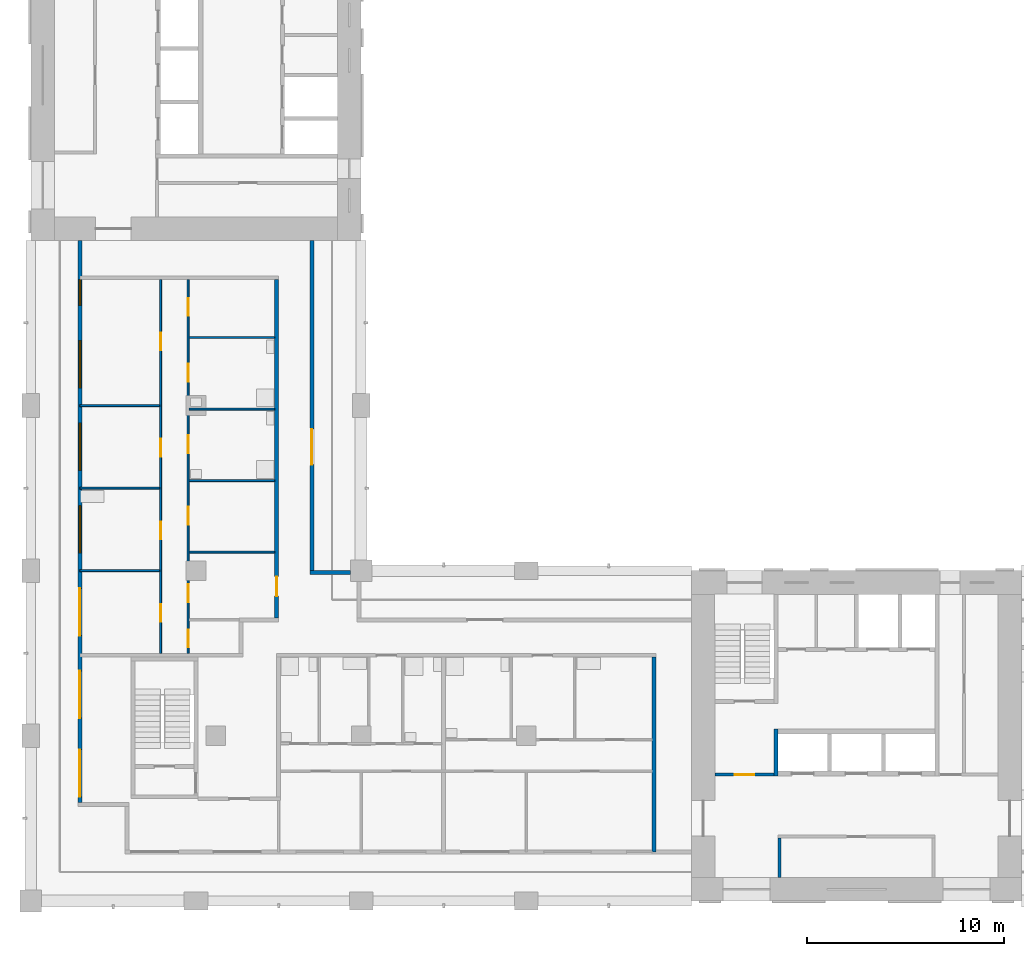
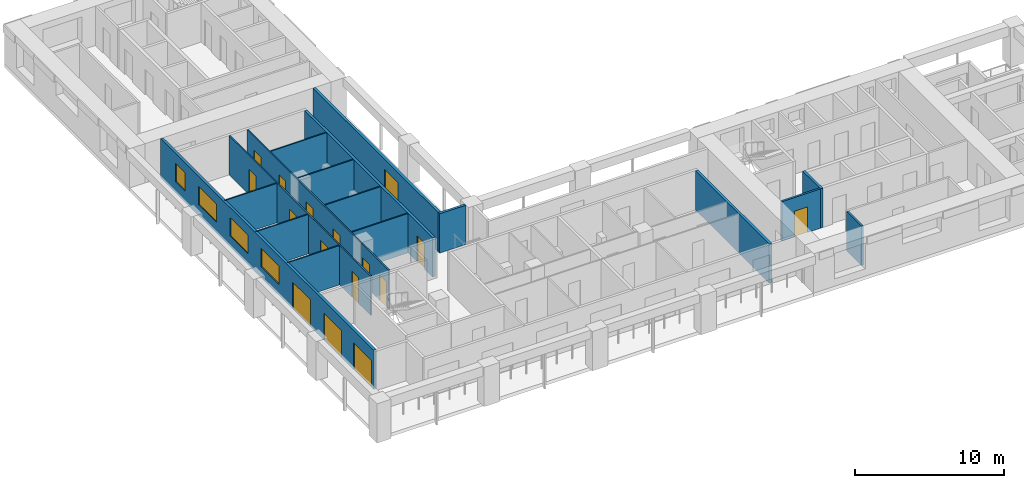
# One storey, part 3 of 10: 17 walls, 16 doors, 4 windows, 20 openings.
"""IFC4 building model written with IfcOpenShell, lengths in metres."""

from ifc_helpers import new_model, si_unit, direction, frame, frame_2d, origin, place, context, subcontext, project, spatial, rectangle, extrude, material, layer, layer_set, type_object, element, fill, save


model = new_model("IFC4")

# Units and contexts
model_context = context("Model", 3, precision=1e-05, world=origin(), true_north=direction((0.0, 1.0)))
body_context = subcontext(model_context, "Body", "Model", "MODEL_VIEW")
ifc_project = project(units=[si_unit("LENGTHUNIT", "METRE"), si_unit("AREAUNIT", "SQUARE_METRE"), si_unit("VOLUMEUNIT", "CUBIC_METRE"), si_unit("PLANEANGLEUNIT", "RADIAN"), si_unit("MASSUNIT", "GRAM", prefix="KILO")], contexts=[model_context])

# Site, building, storey
site_placement = place(None, origin())
site = spatial("IfcSite", under=ifc_project, at=site_placement, CompositionType="ELEMENT")
building_placement = place(site_placement, origin())
building = spatial("IfcBuilding", under=site, at=building_placement, Name="Vermilion Gate Residences", CompositionType="ELEMENT")
storey_placement = place(building_placement, frame((0.0, 0.0, 172.199951171875)))
storey = spatial("IfcBuildingStorey", under=building, at=storey_placement, Name="L44", CompositionType="ELEMENT", Elevation=172.199951171875)

# Wall
ifc_material_1 = material(Name="Masonry blockwork", Category="masonry")
ifc_layer_1 = layer(ifc_material_1, 0.14990234375)
ifc_layer_set_1 = layer_set([ifc_layer_1], Name="BLOCKWORK PARTITION 150 EI 120")
wall_type_1 = type_object("IfcWallType", Name="BLOCKWORK PARTITION 150 EI 120", PredefinedType="PARTITIONING", material=ifc_layer_set_1)
wall_1_placement = place(storey_placement, frame((46.47509765625, 9.60009765625, 0.0), z_axis=(0.0, 0.0, 1.0), x_axis=(0.0, 1.0, 0.0)))
element("IfcWall", 1, at=wall_1_placement, inside=storey, type_object=wall_type_1, Name="Core room partition A44-RW-W", PredefinedType="PARTITIONING", context=body_context, shape_type="SweptSolid", body=[
    extrude(rectangle(XDim=2.0, YDim=0.14990234375, at=frame_2d((1.0, 0.0))), origin(), (0.0, 0.0, 1.0), 3.219970703125),
])

# Wall, opening, door
wall_2_placement = place(storey_placement, frame((43.199951171875, 14.824951171875, 0.0), z_axis=(0.0, 0.0, 1.0), x_axis=(1.0, 0.0, 0.0)))
wall_2 = element("IfcWall", 2, at=wall_2_placement, inside=storey, type_object=wall_type_1, Name="Core room partition A44-VW-S", PredefinedType="PARTITIONING", context=body_context, shape_type="SweptSolid", body=[
    extrude(rectangle(XDim=3.0, YDim=0.14990234375, at=frame_2d((1.5, 0.0))), origin(), (0.0, 0.0, 1.0), 3.219970703125),
])
opening_1_placement = place(wall_2_placement, frame((1.0, 0.0, 0.0)))
opening_1 = element("IfcOpeningElement", 3, at=opening_1_placement, cuts=wall_2, Name="Opening DK44011", PredefinedType="OPENING", context=body_context, shape_type="SweptSolid", body=[
    extrude(rectangle(XDim=1.0, YDim=2.10009765625, at=frame_2d((0.5, 1.050048828125))), frame((0.0, 0.0849609375, 0.0), z_axis=(0.0, -1.0, 0.0), x_axis=(1.0, 0.0, 0.0)), (0.0, 0.0, 1.0), 0.169921875),
])
ifc_material_2 = material(Name="Steel", Category="steel")
door_type_1 = type_object("IfcDoorType", Name="FIRE DOOR FD60 1000 X 2100", OperationType="SINGLE_SWING_LEFT", PredefinedType="DOOR", material=ifc_material_2)
door_1_placement = place(opening_1_placement, frame((1.0, 0.0, 0.0), z_axis=(0.0, 0.0, 1.0), x_axis=(-1.0, 0.0, 0.0)))
door_1 = element("IfcDoor", 4, at=door_1_placement, inside=storey, type_object=door_type_1, Name="Stair vestibule door A44", OperationType="SINGLE_SWING_RIGHT", OverallHeight=2.10009765625, OverallWidth=1.0, PredefinedType="DOOR", context=body_context, shape_type="SweptSolid", body=[
    extrude(rectangle(XDim=1.0, YDim=2.10009765625, at=frame_2d((0.5, 1.050048828125))), frame((0.0, 0.02490234375, 0.0), z_axis=(0.0, -1.0, 0.0), x_axis=(1.0, 0.0, 0.0)), (0.0, 0.0, 1.0), 0.050048828125),
])
fill(opening_1, door_1)

# Wall, openings, doors, windows
ifc_material_3 = material(Name="Insulated steel stud wall with terracotta rainscreen", Category="masonry")
ifc_layer_2 = layer(ifc_material_3, 0.199951171875)
ifc_layer_set_2 = layer_set([ifc_layer_2], Name="EXTERNAL WALL 200 TERRACOTTA RAINSCREEN")
wall_type_2 = type_object("IfcWallType", Name="EXTERNAL WALL 200 TERRACOTTA RAINSCREEN", PredefinedType="SOLIDWALL", material=ifc_layer_set_2)
wall_3_placement = place(storey_placement, frame((10.89990234375, 42.0, 0.0), z_axis=(0.0, 0.0, 1.0), x_axis=(0.0, -1.0, 0.0)))
wall_3 = element("IfcWall", 5, at=wall_3_placement, inside=storey, type_object=wall_type_2, Name="External wall", PredefinedType="SOLIDWALL", context=body_context, shape_type="SweptSolid", body=[
    extrude(rectangle(XDim=28.60009765625, YDim=0.199951171875, at=frame_2d((14.300048828125, 0.0))), origin(), (0.0, 0.0, 1.0), 3.219970703125),
])
opening_2_placement = place(wall_3_placement, frame((25.89990234375, 0.0, 0.0)))
opening_2 = element("IfcOpeningElement", 6, at=opening_2_placement, cuts=wall_3, Name="Opening DE44001", PredefinedType="OPENING", context=body_context, shape_type="SweptSolid", body=[
    extrude(rectangle(XDim=2.39990234375, YDim=2.199951171875, at=frame_2d((1.199951171875, 1.10009765625))), frame((0.0, 0.10986328125, 0.0), z_axis=(0.0, -1.0, 0.0), x_axis=(1.0, 0.0, 0.0)), (0.0, 0.0, 1.0), 0.219970703125),
])
opening_3_placement = place(wall_3_placement, frame((21.89990234375, 0.0, 0.0)))
opening_3 = element("IfcOpeningElement", 7, at=opening_3_placement, cuts=wall_3, Name="Opening DE44002", PredefinedType="OPENING", context=body_context, shape_type="SweptSolid", body=[
    extrude(rectangle(XDim=2.39990234375, YDim=2.199951171875, at=frame_2d((1.199951171875, 1.10009765625))), frame((0.0, 0.10986328125, 0.0), z_axis=(0.0, -1.0, 0.0), x_axis=(1.0, 0.0, 0.0)), (0.0, 0.0, 1.0), 0.219970703125),
])
opening_4_placement = place(wall_3_placement, frame((17.699951171875, 0.0, 0.0)))
opening_4 = element("IfcOpeningElement", 8, at=opening_4_placement, cuts=wall_3, Name="Opening DE44003", PredefinedType="OPENING", context=body_context, shape_type="SweptSolid", body=[
    extrude(rectangle(XDim=2.39990234375, YDim=2.199951171875, at=frame_2d((1.199951171875, 1.10009765625))), frame((0.0, 0.10986328125, 0.0), z_axis=(0.0, -1.0, 0.0), x_axis=(1.0, 0.0, 0.0)), (0.0, 0.0, 1.0), 0.219970703125),
])
opening_5_placement = place(wall_3_placement, frame((13.5, 0.0, 0.89990234375)))
opening_5 = element("IfcOpeningElement", 9, at=opening_5_placement, cuts=wall_3, Name="Opening WE44004", PredefinedType="OPENING", context=body_context, shape_type="SweptSolid", body=[
    extrude(rectangle(XDim=2.39990234375, YDim=1.5, at=frame_2d((1.199951171875, 0.75))), frame((0.0, 0.10986328125, 0.0), z_axis=(0.0, -1.0, 0.0), x_axis=(1.0, 0.0, 0.0)), (0.0, 0.0, 1.0), 0.219970703125),
])
opening_6_placement = place(wall_3_placement, frame((9.300048828125, 0.0, 0.89990234375)))
opening_6 = element("IfcOpeningElement", 10, at=opening_6_placement, cuts=wall_3, Name="Opening WE44005", PredefinedType="OPENING", context=body_context, shape_type="SweptSolid", body=[
    extrude(rectangle(XDim=2.39990234375, YDim=1.5, at=frame_2d((1.199951171875, 0.75))), frame((0.0, 0.10986328125, 0.0), z_axis=(0.0, -1.0, 0.0), x_axis=(1.0, 0.0, 0.0)), (0.0, 0.0, 1.0), 0.219970703125),
])
opening_7_placement = place(wall_3_placement, frame((5.10009765625, 0.0, 0.89990234375)))
opening_7 = element("IfcOpeningElement", 11, at=opening_7_placement, cuts=wall_3, Name="Opening WE44006", PredefinedType="OPENING", context=body_context, shape_type="SweptSolid", body=[
    extrude(rectangle(XDim=2.39990234375, YDim=1.5, at=frame_2d((1.199951171875, 0.75))), frame((0.0, 0.10986328125, 0.0), z_axis=(0.0, -1.0, 0.0), x_axis=(1.0, 0.0, 0.0)), (0.0, 0.0, 1.0), 0.219970703125),
])
opening_8_placement = place(wall_3_placement, frame((2.0, 0.0, 0.89990234375)))
opening_8 = element("IfcOpeningElement", 12, at=opening_8_placement, cuts=wall_3, Name="Opening WE44007", PredefinedType="OPENING", context=body_context, shape_type="SweptSolid", body=[
    extrude(rectangle(XDim=1.300048828125, YDim=1.5, at=frame_2d((0.64990234375, 0.75))), frame((0.0, 0.10986328125, 0.0), z_axis=(0.0, -1.0, 0.0), x_axis=(1.0, 0.0, 0.0)), (0.0, 0.0, 1.0), 0.219970703125),
])
ifc_material_4 = material(Name="Aluminium and clear glass", Category="aluminium")
door_type_2 = type_object("IfcDoorType", Name="SLIDING GLAZED DOOR 2400 X 2200", OperationType="DOUBLE_DOOR_SLIDING", PredefinedType="DOOR", material=ifc_material_4)
door_2_placement = place(opening_2_placement, origin())
door_2 = element("IfcDoor", 13, at=door_2_placement, inside=storey, type_object=door_type_2, Name="Loggia sliding door", OperationType="DOUBLE_DOOR_SLIDING", OverallHeight=2.199951171875, OverallWidth=2.39990234375, PredefinedType="DOOR", context=body_context, shape_type="SweptSolid", body=[
    extrude(rectangle(XDim=2.39990234375, YDim=2.199951171875, at=frame_2d((1.199951171875, 1.10009765625))), frame((0.0, 0.02490234375, 0.0), z_axis=(0.0, -1.0, 0.0), x_axis=(1.0, 0.0, 0.0)), (0.0, 0.0, 1.0), 0.050048828125),
])
fill(opening_2, door_2)
door_3_placement = place(opening_3_placement, origin())
door_3 = element("IfcDoor", 14, at=door_3_placement, inside=storey, type_object=door_type_2, Name="Loggia sliding door", OperationType="DOUBLE_DOOR_SLIDING", OverallHeight=2.199951171875, OverallWidth=2.39990234375, PredefinedType="DOOR", context=body_context, shape_type="SweptSolid", body=[
    extrude(rectangle(XDim=2.39990234375, YDim=2.199951171875, at=frame_2d((1.199951171875, 1.10009765625))), frame((0.0, 0.02490234375, 0.0), z_axis=(0.0, -1.0, 0.0), x_axis=(1.0, 0.0, 0.0)), (0.0, 0.0, 1.0), 0.050048828125),
])
fill(opening_3, door_3)
door_4_placement = place(opening_4_placement, origin())
door_4 = element("IfcDoor", 15, at=door_4_placement, inside=storey, type_object=door_type_2, Name="Loggia sliding door", OperationType="DOUBLE_DOOR_SLIDING", OverallHeight=2.199951171875, OverallWidth=2.39990234375, PredefinedType="DOOR", context=body_context, shape_type="SweptSolid", body=[
    extrude(rectangle(XDim=2.39990234375, YDim=2.199951171875, at=frame_2d((1.199951171875, 1.10009765625))), frame((0.0, 0.02490234375, 0.0), z_axis=(0.0, -1.0, 0.0), x_axis=(1.0, 0.0, 0.0)), (0.0, 0.0, 1.0), 0.050048828125),
])
fill(opening_4, door_4)
ifc_material_5 = material(Name="Aluminium and clear glass", Category="aluminium")
window_type_1 = type_object("IfcWindowType", Name="WINDOW 1300 X 1500", PartitioningType="SINGLE_PANEL", PredefinedType="WINDOW", material=ifc_material_5)
window_1_placement = place(opening_8_placement, origin())
window_1 = element("IfcWindow", 16, at=window_1_placement, inside=storey, type_object=window_type_1, Name="Window", OverallHeight=1.5, OverallWidth=1.300048828125, PartitioningType="SINGLE_PANEL", PredefinedType="WINDOW", context=body_context, shape_type="SweptSolid", body=[
    extrude(rectangle(XDim=1.300048828125, YDim=1.5, at=frame_2d((0.64990234375, 0.75))), frame((0.0, 0.030029296875, 0.0), z_axis=(0.0, -1.0, 0.0), x_axis=(1.0, 0.0, 0.0)), (0.0, 0.0, 1.0), 0.06005859375),
])
fill(opening_8, window_1)
ifc_material_6 = material(Name="Aluminium and clear glass", Category="aluminium")
window_type_2 = type_object("IfcWindowType", Name="WINDOW 2400 X 1500", PartitioningType="SINGLE_PANEL", PredefinedType="WINDOW", material=ifc_material_6)
window_2_placement = place(opening_5_placement, origin())
window_2 = element("IfcWindow", 17, at=window_2_placement, inside=storey, type_object=window_type_2, Name="Window", OverallHeight=1.5, OverallWidth=2.39990234375, PartitioningType="SINGLE_PANEL", PredefinedType="WINDOW", context=body_context, shape_type="SweptSolid", body=[
    extrude(rectangle(XDim=2.39990234375, YDim=1.5, at=frame_2d((1.199951171875, 0.75))), frame((0.0, 0.030029296875, 0.0), z_axis=(0.0, -1.0, 0.0), x_axis=(1.0, 0.0, 0.0)), (0.0, 0.0, 1.0), 0.06005859375),
])
fill(opening_5, window_2)
window_3_placement = place(opening_6_placement, origin())
window_3 = element("IfcWindow", 18, at=window_3_placement, inside=storey, type_object=window_type_2, Name="Window", OverallHeight=1.5, OverallWidth=2.39990234375, PartitioningType="SINGLE_PANEL", PredefinedType="WINDOW", context=body_context, shape_type="SweptSolid", body=[
    extrude(rectangle(XDim=2.39990234375, YDim=1.5, at=frame_2d((1.199951171875, 0.75))), frame((0.0, 0.030029296875, 0.0), z_axis=(0.0, -1.0, 0.0), x_axis=(1.0, 0.0, 0.0)), (0.0, 0.0, 1.0), 0.06005859375),
])
fill(opening_6, window_3)
window_4_placement = place(opening_7_placement, origin())
window_4 = element("IfcWindow", 19, at=window_4_placement, inside=storey, type_object=window_type_2, Name="Window", OverallHeight=1.5, OverallWidth=2.39990234375, PartitioningType="SINGLE_PANEL", PredefinedType="WINDOW", context=body_context, shape_type="SweptSolid", body=[
    extrude(rectangle(XDim=2.39990234375, YDim=1.5, at=frame_2d((1.199951171875, 0.75))), frame((0.0, 0.030029296875, 0.0), z_axis=(0.0, -1.0, 0.0), x_axis=(1.0, 0.0, 0.0)), (0.0, 0.0, 1.0), 0.06005859375),
])
fill(opening_7, window_4)

# Wall
wall_4_placement = place(storey_placement, frame((24.64990234375, 25.10009765625, 0.0), z_axis=(0.0, 0.0, 1.0), x_axis=(-1.0, 0.0, 0.0)))
element("IfcWall", 20, at=wall_4_placement, inside=storey, type_object=wall_type_2, Name="External wall", PredefinedType="SOLIDWALL", context=body_context, shape_type="SweptSolid", body=[
    extrude(rectangle(XDim=2.0498046875, YDim=0.199951171875, at=frame_2d((1.02490234375, 0.0))), origin(), (0.0, 0.0, 1.0), 3.219970703125),
])

# Wall, opening, door
wall_5_placement = place(storey_placement, frame((22.699951171875, 25.199951171875, 0.0), z_axis=(0.0, 0.0, 1.0), x_axis=(0.0, 1.0, 0.0)))
wall_5 = element("IfcWall", 21, at=wall_5_placement, inside=storey, type_object=wall_type_2, Name="External wall", PredefinedType="SOLIDWALL", context=body_context, shape_type="SweptSolid", body=[
    extrude(rectangle(XDim=16.800048828125, YDim=0.199951171875, at=frame_2d((8.39990234375, 0.0))), origin(), (0.0, 0.0, 1.0), 3.219970703125),
])
opening_9_placement = place(wall_5_placement, frame((5.39990234375, 0.0, 0.0)))
opening_9 = element("IfcOpeningElement", 22, at=opening_9_placement, cuts=wall_5, Name="Opening DE44021", PredefinedType="OPENING", context=body_context, shape_type="SweptSolid", body=[
    extrude(rectangle(XDim=1.800048828125, YDim=2.39990234375, at=frame_2d((0.89990234375, 1.199951171875))), frame((0.0, 0.10986328125, 0.0), z_axis=(0.0, -1.0, 0.0), x_axis=(1.0, 0.0, 0.0)), (0.0, 0.0, 1.0), 0.219970703125),
])
ifc_material_7 = material(Name="Aluminium and clear glass", Category="aluminium")
door_type_3 = type_object("IfcDoorType", Name="GLAZED EXTERNAL DOOR 1800 X 2400", OperationType="DOUBLE_DOOR_SINGLE_SWING", PredefinedType="DOOR", material=ifc_material_7)
door_5_placement = place(opening_9_placement, frame((1.800048828125, 0.0, 0.0), z_axis=(0.0, 0.0, 1.0), x_axis=(-1.0, 0.0, 0.0)))
door_5 = element("IfcDoor", 23, at=door_5_placement, inside=storey, type_object=door_type_3, Name="Gallery door", OperationType="DOUBLE_DOOR_SINGLE_SWING", OverallHeight=2.39990234375, OverallWidth=1.800048828125, PredefinedType="DOOR", context=body_context, shape_type="SweptSolid", body=[
    extrude(rectangle(XDim=1.800048828125, YDim=2.39990234375, at=frame_2d((0.89990234375, 1.199951171875))), frame((0.0, 0.02490234375, 0.0), z_axis=(0.0, -1.0, 0.0), x_axis=(1.0, 0.0, 0.0)), (0.0, 0.0, 1.0), 0.050048828125),
])
fill(opening_9, door_5)

# Walls
ifc_material_8 = material(Name="Plasterboard on steel studs", Category="steel")
ifc_layer_3 = layer(ifc_material_8, 0.10009765625)
ifc_layer_set_3 = layer_set([ifc_layer_3], Name="PARTITION 100")
wall_type_3 = type_object("IfcWallType", Name="PARTITION 100", PredefinedType="PARTITIONING", material=ifc_layer_set_3)
wall_6_placement = place(storey_placement, frame((10.89990234375, 25.199951171875, 0.0), z_axis=(0.0, 0.0, 1.0), x_axis=(1.0, 0.0, 0.0)))
element("IfcWall", 24, at=wall_6_placement, inside=storey, type_object=wall_type_3, Name="Partition", PredefinedType="PARTITIONING", context=body_context, shape_type="SweptSolid", body=[
    extrude(rectangle(XDim=4.050048828125, YDim=0.10009765625, at=frame_2d((2.02490234375, 0.0))), origin(), (0.0, 0.0, 1.0), 3.219970703125),
])
wall_7_placement = place(storey_placement, frame((16.449951171875, 26.139892578125, 0.0), z_axis=(0.0, 0.0, 1.0), x_axis=(1.0, 0.0, 0.0)))
element("IfcWall", 25, at=wall_7_placement, inside=storey, type_object=wall_type_3, Name="Partition", PredefinedType="PARTITIONING", context=body_context, shape_type="SweptSolid", body=[
    extrude(rectangle(XDim=4.35009765625, YDim=0.10009765625, at=frame_2d((2.175048828125, 0.0))), origin(), (0.0, 0.0, 1.0), 3.219970703125),
])
wall_8_placement = place(storey_placement, frame((10.89990234375, 29.39990234375, 0.0), z_axis=(0.0, 0.0, 1.0), x_axis=(1.0, 0.0, 0.0)))
element("IfcWall", 26, at=wall_8_placement, inside=storey, type_object=wall_type_3, Name="Partition", PredefinedType="PARTITIONING", context=body_context, shape_type="SweptSolid", body=[
    extrude(rectangle(XDim=4.050048828125, YDim=0.10009765625, at=frame_2d((2.02490234375, 0.0))), origin(), (0.0, 0.0, 1.0), 3.219970703125),
])
for number, where, z_axis, x_axis, name in (
    (27, (16.449951171875, 29.780029296875, 0.0), (0.0, 0.0, 1.0), (1.0, 0.0, 0.0), "Partition"),
    (28, (16.449951171875, 33.419921875, 0.0), (0.0, 0.0, 1.0), (1.0, 0.0, 0.0), "Partition"),
):
    element("IfcWall", number, at=place(storey_placement, frame(where, z_axis=z_axis, x_axis=x_axis)), inside=storey, type_object=wall_type_3, Name=name, PredefinedType="PARTITIONING", context=body_context, shape_type="SweptSolid", body=[
        extrude(rectangle(XDim=4.35009765625, YDim=0.10009765625, at=frame_2d((2.175048828125, 0.0))), origin(), (0.0, 0.0, 1.0), 3.219970703125),
    ])
wall_9_placement = place(storey_placement, frame((10.89990234375, 33.60009765625, 0.0), z_axis=(0.0, 0.0, 1.0), x_axis=(1.0, 0.0, 0.0)))
element("IfcWall", 29, at=wall_9_placement, inside=storey, type_object=wall_type_3, Name="Partition", PredefinedType="PARTITIONING", context=body_context, shape_type="SweptSolid", body=[
    extrude(rectangle(XDim=4.050048828125, YDim=0.10009765625, at=frame_2d((2.02490234375, 0.0))), origin(), (0.0, 0.0, 1.0), 3.219970703125),
])
wall_10_placement = place(storey_placement, frame((16.449951171875, 37.06005859375, 0.0), z_axis=(0.0, 0.0, 1.0), x_axis=(1.0, 0.0, 0.0)))
element("IfcWall", 30, at=wall_10_placement, inside=storey, type_object=wall_type_3, Name="Partition", PredefinedType="PARTITIONING", context=body_context, shape_type="SweptSolid", body=[
    extrude(rectangle(XDim=4.35009765625, YDim=0.10009765625, at=frame_2d((2.175048828125, 0.0))), origin(), (0.0, 0.0, 1.0), 3.219970703125),
])

# Wall, openings, doors
wall_11_placement = place(storey_placement, frame((15.0, 21.0, 0.0), z_axis=(0.0, 0.0, 1.0), x_axis=(0.0, 1.0, 0.0)))
wall_11 = element("IfcWall", 31, at=wall_11_placement, inside=storey, type_object=wall_type_3, Name="Partition", PredefinedType="PARTITIONING", context=body_context, shape_type="SweptSolid", body=[
    extrude(rectangle(XDim=19.0, YDim=0.10009765625, at=frame_2d((9.5, 0.0))), origin(), (0.0, 0.0, 1.0), 3.219970703125),
])
opening_10_placement = place(wall_11_placement, frame((1.60009765625, 0.0, 0.0)))
opening_10 = element("IfcOpeningElement", 32, at=opening_10_placement, cuts=wall_11, Name="Opening DA43015", PredefinedType="OPENING", context=body_context, shape_type="SweptSolid", body=[
    extrude(rectangle(XDim=0.89990234375, YDim=2.10009765625, at=frame_2d((0.449951171875, 1.050048828125))), frame((0.0, 0.06005859375, 0.0), z_axis=(0.0, -1.0, 0.0), x_axis=(1.0, 0.0, 0.0)), (0.0, 0.0, 1.0), 0.1201171875),
])
opening_11_placement = place(wall_11_placement, frame((5.800048828125, 0.0, 0.0)))
opening_11 = element("IfcOpeningElement", 33, at=opening_11_placement, cuts=wall_11, Name="Opening DA43016", PredefinedType="OPENING", context=body_context, shape_type="SweptSolid", body=[
    extrude(rectangle(XDim=0.89990234375, YDim=2.10009765625, at=frame_2d((0.449951171875, 1.050048828125))), frame((0.0, 0.06005859375, 0.0), z_axis=(0.0, -1.0, 0.0), x_axis=(1.0, 0.0, 0.0)), (0.0, 0.0, 1.0), 0.1201171875),
])
opening_12_placement = place(wall_11_placement, frame((10.0, 0.0, 0.0)))
opening_12 = element("IfcOpeningElement", 34, at=opening_12_placement, cuts=wall_11, Name="Opening DA43017", PredefinedType="OPENING", context=body_context, shape_type="SweptSolid", body=[
    extrude(rectangle(XDim=0.89990234375, YDim=2.10009765625, at=frame_2d((0.449951171875, 1.050048828125))), frame((0.0, 0.06005859375, 0.0), z_axis=(0.0, -1.0, 0.0), x_axis=(1.0, 0.0, 0.0)), (0.0, 0.0, 1.0), 0.1201171875),
])
opening_13_placement = place(wall_11_placement, frame((15.39990234375, 0.0, 0.0)))
opening_13 = element("IfcOpeningElement", 35, at=opening_13_placement, cuts=wall_11, Name="Opening DA43018", PredefinedType="OPENING", context=body_context, shape_type="SweptSolid", body=[
    extrude(rectangle(XDim=0.89990234375, YDim=2.10009765625, at=frame_2d((0.449951171875, 1.050048828125))), frame((0.0, 0.06005859375, 0.0), z_axis=(0.0, -1.0, 0.0), x_axis=(1.0, 0.0, 0.0)), (0.0, 0.0, 1.0), 0.1201171875),
])
ifc_material_9 = material(Name="Timber", Category="wood")
door_type_4 = type_object("IfcDoorType", Name="INTERIOR DOOR 900 X 2100", OperationType="SINGLE_SWING_LEFT", PredefinedType="DOOR", material=ifc_material_9)
door_6_placement = place(opening_10_placement, origin())
door_6 = element("IfcDoor", 36, at=door_6_placement, inside=storey, type_object=door_type_4, Name="Interior door", OperationType="SINGLE_SWING_LEFT", OverallHeight=2.10009765625, OverallWidth=0.89990234375, PredefinedType="DOOR", context=body_context, shape_type="SweptSolid", body=[
    extrude(rectangle(XDim=0.89990234375, YDim=2.10009765625, at=frame_2d((0.449951171875, 1.050048828125))), frame((0.0, 0.02490234375, 0.0), z_axis=(0.0, -1.0, 0.0), x_axis=(1.0, 0.0, 0.0)), (0.0, 0.0, 1.0), 0.050048828125),
])
fill(opening_10, door_6)
door_7_placement = place(opening_11_placement, origin())
door_7 = element("IfcDoor", 37, at=door_7_placement, inside=storey, type_object=door_type_4, Name="Interior door", OperationType="SINGLE_SWING_LEFT", OverallHeight=2.10009765625, OverallWidth=0.89990234375, PredefinedType="DOOR", context=body_context, shape_type="SweptSolid", body=[
    extrude(rectangle(XDim=0.89990234375, YDim=2.10009765625, at=frame_2d((0.449951171875, 1.050048828125))), frame((0.0, 0.02490234375, 0.0), z_axis=(0.0, -1.0, 0.0), x_axis=(1.0, 0.0, 0.0)), (0.0, 0.0, 1.0), 0.050048828125),
])
fill(opening_11, door_7)
door_8_placement = place(opening_12_placement, origin())
door_8 = element("IfcDoor", 38, at=door_8_placement, inside=storey, type_object=door_type_4, Name="Interior door", OperationType="SINGLE_SWING_LEFT", OverallHeight=2.10009765625, OverallWidth=0.89990234375, PredefinedType="DOOR", context=body_context, shape_type="SweptSolid", body=[
    extrude(rectangle(XDim=0.89990234375, YDim=2.10009765625, at=frame_2d((0.449951171875, 1.050048828125))), frame((0.0, 0.02490234375, 0.0), z_axis=(0.0, -1.0, 0.0), x_axis=(1.0, 0.0, 0.0)), (0.0, 0.0, 1.0), 0.050048828125),
])
fill(opening_12, door_8)
door_9_placement = place(opening_13_placement, origin())
door_9 = element("IfcDoor", 39, at=door_9_placement, inside=storey, type_object=door_type_4, Name="Interior door", OperationType="SINGLE_SWING_RIGHT", OverallHeight=2.10009765625, OverallWidth=0.89990234375, PredefinedType="DOOR", context=body_context, shape_type="SweptSolid", body=[
    extrude(rectangle(XDim=0.89990234375, YDim=2.10009765625, at=frame_2d((0.449951171875, 1.050048828125))), frame((0.0, 0.02490234375, 0.0), z_axis=(0.0, -1.0, 0.0), x_axis=(1.0, 0.0, 0.0)), (0.0, 0.0, 1.0), 0.050048828125),
])
fill(opening_13, door_9)

wall_12_placement = place(storey_placement, frame((16.39990234375, 21.0, 0.0), z_axis=(0.0, 0.0, 1.0), x_axis=(0.0, 1.0, 0.0)))
wall_12 = element("IfcWall", 40, at=wall_12_placement, inside=storey, type_object=wall_type_3, Name="Partition", PredefinedType="PARTITIONING", context=body_context, shape_type="SweptSolid", body=[
    extrude(rectangle(XDim=19.0, YDim=0.10009765625, at=frame_2d((9.5, 0.0))), origin(), (0.0, 0.0, 1.0), 3.219970703125),
])
opening_14_placement = place(wall_12_placement, frame((2.60009765625, 0.0, 0.0)))
opening_14 = element("IfcOpeningElement", 41, at=opening_14_placement, cuts=wall_12, Name="Opening DA43019", PredefinedType="OPENING", context=body_context, shape_type="SweptSolid", body=[
    extrude(rectangle(XDim=0.89990234375, YDim=2.10009765625, at=frame_2d((0.449951171875, 1.050048828125))), frame((0.0, 0.06005859375, 0.0), z_axis=(0.0, -1.0, 0.0), x_axis=(1.0, 0.0, 0.0)), (0.0, 0.0, 1.0), 0.1201171875),
])
opening_15_placement = place(wall_12_placement, frame((0.300048828125, 0.0, 0.0)))
opening_15 = element("IfcOpeningElement", 42, at=opening_15_placement, cuts=wall_12, Name="Opening DA43020", PredefinedType="OPENING", context=body_context, shape_type="SweptSolid", body=[
    extrude(rectangle(XDim=0.89990234375, YDim=2.10009765625, at=frame_2d((0.449951171875, 1.050048828125))), frame((0.0, 0.06005859375, 0.0), z_axis=(0.0, -1.0, 0.0), x_axis=(1.0, 0.0, 0.0)), (0.0, 0.0, 1.0), 0.1201171875),
])
opening_16_placement = place(wall_12_placement, frame((6.5400390625, 0.0, 0.0)))
opening_16 = element("IfcOpeningElement", 43, at=opening_16_placement, cuts=wall_12, Name="Opening DA43021", PredefinedType="OPENING", context=body_context, shape_type="SweptSolid", body=[
    extrude(rectangle(XDim=0.89990234375, YDim=2.10009765625, at=frame_2d((0.449951171875, 1.050048828125))), frame((0.0, 0.06005859375, 0.0), z_axis=(0.0, -1.0, 0.0), x_axis=(1.0, 0.0, 0.0)), (0.0, 0.0, 1.0), 0.1201171875),
])
opening_17_placement = place(wall_12_placement, frame((10.179931640625, 0.0, 0.0)))
opening_17 = element("IfcOpeningElement", 44, at=opening_17_placement, cuts=wall_12, Name="Opening DA43022", PredefinedType="OPENING", context=body_context, shape_type="SweptSolid", body=[
    extrude(rectangle(XDim=0.89990234375, YDim=2.10009765625, at=frame_2d((0.449951171875, 1.050048828125))), frame((0.0, 0.06005859375, 0.0), z_axis=(0.0, -1.0, 0.0), x_axis=(1.0, 0.0, 0.0)), (0.0, 0.0, 1.0), 0.1201171875),
])
opening_18_placement = place(wall_12_placement, frame((13.820068359375, 0.0, 0.0)))
opening_18 = element("IfcOpeningElement", 45, at=opening_18_placement, cuts=wall_12, Name="Opening DA43023", PredefinedType="OPENING", context=body_context, shape_type="SweptSolid", body=[
    extrude(rectangle(XDim=0.89990234375, YDim=2.10009765625, at=frame_2d((0.449951171875, 1.050048828125))), frame((0.0, 0.06005859375, 0.0), z_axis=(0.0, -1.0, 0.0), x_axis=(1.0, 0.0, 0.0)), (0.0, 0.0, 1.0), 0.1201171875),
])
opening_19_placement = place(wall_12_placement, frame((17.159912109375, 0.0, 0.0)))
opening_19 = element("IfcOpeningElement", 46, at=opening_19_placement, cuts=wall_12, Name="Opening DA43024", PredefinedType="OPENING", context=body_context, shape_type="SweptSolid", body=[
    extrude(rectangle(XDim=0.89990234375, YDim=2.10009765625, at=frame_2d((0.449951171875, 1.050048828125))), frame((0.0, 0.06005859375, 0.0), z_axis=(0.0, -1.0, 0.0), x_axis=(1.0, 0.0, 0.0)), (0.0, 0.0, 1.0), 0.1201171875),
])
door_10_placement = place(opening_14_placement, frame((0.89990234375, 0.0, 0.0), z_axis=(0.0, 0.0, 1.0), x_axis=(-1.0, 0.0, 0.0)))
door_10 = element("IfcDoor", 47, at=door_10_placement, inside=storey, type_object=door_type_4, Name="Interior door", OperationType="SINGLE_SWING_LEFT", OverallHeight=2.10009765625, OverallWidth=0.89990234375, PredefinedType="DOOR", context=body_context, shape_type="SweptSolid", body=[
    extrude(rectangle(XDim=0.89990234375, YDim=2.10009765625, at=frame_2d((0.449951171875, 1.050048828125))), frame((0.0, 0.02490234375, 0.0), z_axis=(0.0, -1.0, 0.0), x_axis=(1.0, 0.0, 0.0)), (0.0, 0.0, 1.0), 0.050048828125),
])
fill(opening_14, door_10)
door_11_placement = place(opening_15_placement, frame((0.89990234375, 0.0, 0.0), z_axis=(0.0, 0.0, 1.0), x_axis=(-1.0, 0.0, 0.0)))
door_11 = element("IfcDoor", 48, at=door_11_placement, inside=storey, type_object=door_type_4, Name="Interior door", OperationType="SINGLE_SWING_RIGHT", OverallHeight=2.10009765625, OverallWidth=0.89990234375, PredefinedType="DOOR", context=body_context, shape_type="SweptSolid", body=[
    extrude(rectangle(XDim=0.89990234375, YDim=2.10009765625, at=frame_2d((0.449951171875, 1.050048828125))), frame((0.0, 0.02490234375, 0.0), z_axis=(0.0, -1.0, 0.0), x_axis=(1.0, 0.0, 0.0)), (0.0, 0.0, 1.0), 0.050048828125),
])
fill(opening_15, door_11)
door_12_placement = place(opening_16_placement, frame((0.89990234375, 0.0, 0.0), z_axis=(0.0, 0.0, 1.0), x_axis=(-1.0, 0.0, 0.0)))
door_12 = element("IfcDoor", 49, at=door_12_placement, inside=storey, type_object=door_type_4, Name="Interior door", OperationType="SINGLE_SWING_LEFT", OverallHeight=2.10009765625, OverallWidth=0.89990234375, PredefinedType="DOOR", context=body_context, shape_type="SweptSolid", body=[
    extrude(rectangle(XDim=0.89990234375, YDim=2.10009765625, at=frame_2d((0.449951171875, 1.050048828125))), frame((0.0, 0.02490234375, 0.0), z_axis=(0.0, -1.0, 0.0), x_axis=(1.0, 0.0, 0.0)), (0.0, 0.0, 1.0), 0.050048828125),
])
fill(opening_16, door_12)
door_13_placement = place(opening_17_placement, frame((0.89990234375, 0.0, 0.0), z_axis=(0.0, 0.0, 1.0), x_axis=(-1.0, 0.0, 0.0)))
door_13 = element("IfcDoor", 50, at=door_13_placement, inside=storey, type_object=door_type_4, Name="Interior door", OperationType="SINGLE_SWING_RIGHT", OverallHeight=2.10009765625, OverallWidth=0.89990234375, PredefinedType="DOOR", context=body_context, shape_type="SweptSolid", body=[
    extrude(rectangle(XDim=0.89990234375, YDim=2.10009765625, at=frame_2d((0.449951171875, 1.050048828125))), frame((0.0, 0.02490234375, 0.0), z_axis=(0.0, -1.0, 0.0), x_axis=(1.0, 0.0, 0.0)), (0.0, 0.0, 1.0), 0.050048828125),
])
fill(opening_17, door_13)
door_14_placement = place(opening_18_placement, frame((0.89990234375, 0.0, 0.0), z_axis=(0.0, 0.0, 1.0), x_axis=(-1.0, 0.0, 0.0)))
door_14 = element("IfcDoor", 51, at=door_14_placement, inside=storey, type_object=door_type_4, Name="Interior door", OperationType="SINGLE_SWING_RIGHT", OverallHeight=2.10009765625, OverallWidth=0.89990234375, PredefinedType="DOOR", context=body_context, shape_type="SweptSolid", body=[
    extrude(rectangle(XDim=0.89990234375, YDim=2.10009765625, at=frame_2d((0.449951171875, 1.050048828125))), frame((0.0, 0.02490234375, 0.0), z_axis=(0.0, -1.0, 0.0), x_axis=(1.0, 0.0, 0.0)), (0.0, 0.0, 1.0), 0.050048828125),
])
fill(opening_18, door_14)
door_15_placement = place(opening_19_placement, frame((0.89990234375, 0.0, 0.0), z_axis=(0.0, 0.0, 1.0), x_axis=(-1.0, 0.0, 0.0)))
door_15 = element("IfcDoor", 52, at=door_15_placement, inside=storey, type_object=door_type_4, Name="Interior door", OperationType="SINGLE_SWING_LEFT", OverallHeight=2.10009765625, OverallWidth=0.89990234375, PredefinedType="DOOR", context=body_context, shape_type="SweptSolid", body=[
    extrude(rectangle(XDim=0.89990234375, YDim=2.10009765625, at=frame_2d((0.449951171875, 1.050048828125))), frame((0.0, 0.02490234375, 0.0), z_axis=(0.0, -1.0, 0.0), x_axis=(1.0, 0.0, 0.0)), (0.0, 0.0, 1.0), 0.050048828125),
])
fill(opening_19, door_15)

# Wall, opening, door
ifc_material_10 = material(Name="Fire-rated plasterboard on steel studs", Category="steel")
ifc_layer_4 = layer(ifc_material_10, 0.199951171875)
ifc_layer_set_4 = layer_set([ifc_layer_4], Name="PARTY WALL 200 EI 120")
wall_type_4 = type_object("IfcWallType", Name="PARTY WALL 200 EI 120", PredefinedType="PARTITIONING", material=ifc_layer_set_4)
wall_13_placement = place(storey_placement, frame((20.89990234375, 22.800048828125, 0.0), z_axis=(0.0, 0.0, 1.0), x_axis=(0.0, 1.0, 0.0)))
wall_13 = element("IfcWall", 53, at=wall_13_placement, inside=storey, type_object=wall_type_4, Name="Party and corridor wall", PredefinedType="PARTITIONING", context=body_context, shape_type="SweptSolid", body=[
    extrude(rectangle(XDim=17.199951171875, YDim=0.199951171875, at=frame_2d((8.60009765625, 0.0))), origin(), (0.0, 0.0, 1.0), 3.219970703125),
])
opening_20_placement = place(wall_13_placement, frame((1.10009765625, 0.0, 0.0)))
opening_20 = element("IfcOpeningElement", 54, at=opening_20_placement, cuts=wall_13, Name="Opening DA43025", PredefinedType="OPENING", context=body_context, shape_type="SweptSolid", body=[
    extrude(rectangle(XDim=1.0, YDim=2.10009765625, at=frame_2d((0.5, 1.050048828125))), frame((0.0, 0.10986328125, 0.0), z_axis=(0.0, -1.0, 0.0), x_axis=(1.0, 0.0, 0.0)), (0.0, 0.0, 1.0), 0.219970703125),
])
ifc_material_11 = material(Name="Steel", Category="steel")
door_type_5 = type_object("IfcDoorType", Name="ENTRANCE DOOR 1000 X 2100 FD30", OperationType="SINGLE_SWING_LEFT", PredefinedType="DOOR", material=ifc_material_11)
door_16_placement = place(opening_20_placement, origin())
door_16 = element("IfcDoor", 55, at=door_16_placement, inside=storey, type_object=door_type_5, Name="Entrance door", OperationType="SINGLE_SWING_LEFT", OverallHeight=2.10009765625, OverallWidth=1.0, PredefinedType="DOOR", context=body_context, shape_type="SweptSolid", body=[
    extrude(rectangle(XDim=1.0, YDim=2.10009765625, at=frame_2d((0.5, 1.050048828125))), frame((0.0, 0.02490234375, 0.0), z_axis=(0.0, -1.0, 0.0), x_axis=(1.0, 0.0, 0.0)), (0.0, 0.0, 1.0), 0.050048828125),
])
fill(opening_20, door_16)

# Walls
wall_14_placement = place(storey_placement, frame((40.10009765625, 10.89990234375, 0.0), z_axis=(0.0, 0.0, 1.0), x_axis=(0.0, 1.0, 0.0)))
element("IfcWall", 56, at=wall_14_placement, inside=storey, type_object=wall_type_4, Name="Party and corridor wall", PredefinedType="PARTITIONING", context=body_context, shape_type="SweptSolid", body=[
    extrude(rectangle(XDim=9.900146484375, YDim=0.199951171875, at=frame_2d((4.9501953125, 0.0))), origin(), (0.0, 0.0, 1.0), 3.219970703125),
])
ifc_material_12 = material(Name="Concrete C60", Category="concrete")
ifc_layer_5 = layer(ifc_material_12, 0.199951171875)
ifc_layer_set_5 = layer_set([ifc_layer_5], Name="RC CORE INTERNAL WALL 200 C60")
wall_type_5 = type_object("IfcWallType", Name="RC CORE INTERNAL WALL 200 C60", PredefinedType="SHEAR", material=ifc_layer_set_5)
wall_15_placement = place(storey_placement, frame((46.300048828125, 14.75, 0.0), z_axis=(0.0, 0.0, 1.0), x_axis=(0.0, 1.0, 0.0)))
element("IfcWall", 57, at=wall_15_placement, inside=storey, type_object=wall_type_5, Name="Core internal wall A44-WDIV1", PredefinedType="SHEAR", context=body_context, shape_type="SweptSolid", body=[
    extrude(rectangle(XDim=2.39990234375, YDim=0.199951171875, at=frame_2d((1.199951171875, 0.0))), origin(), (0.0, 0.0, 1.0), 3.219970703125),
])

save(model, "model.ifc")
